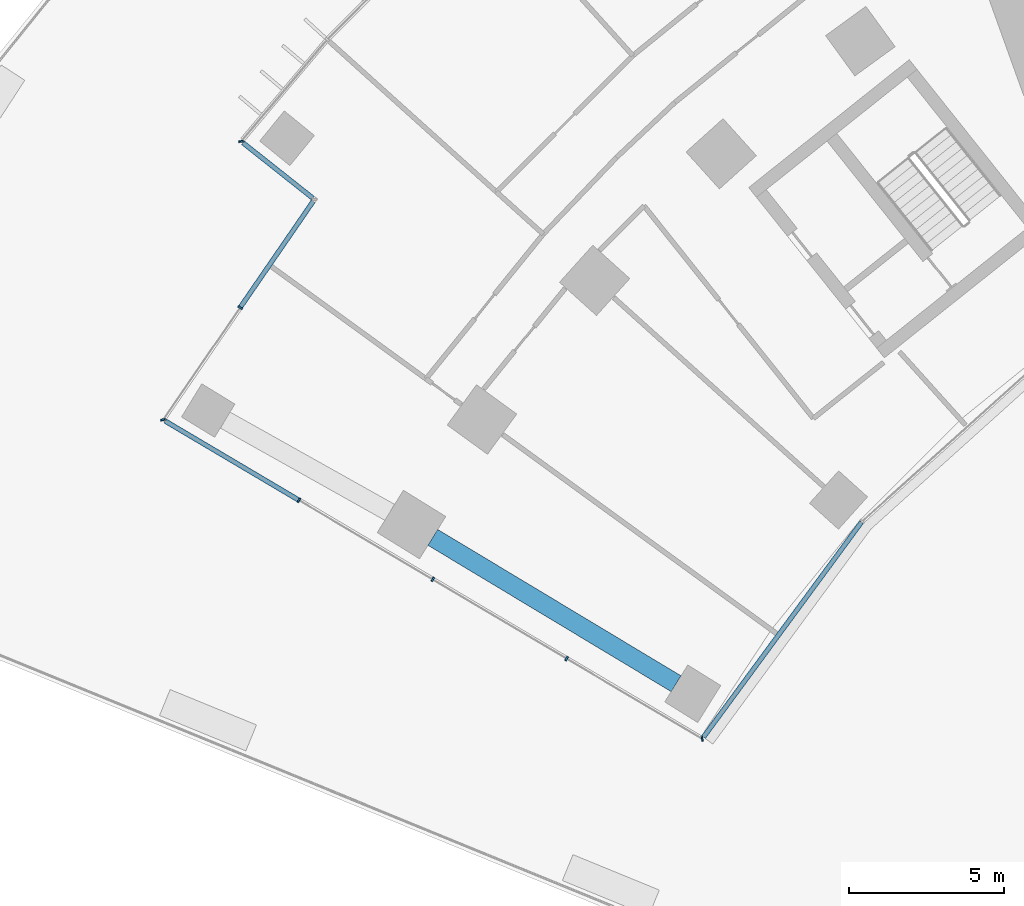
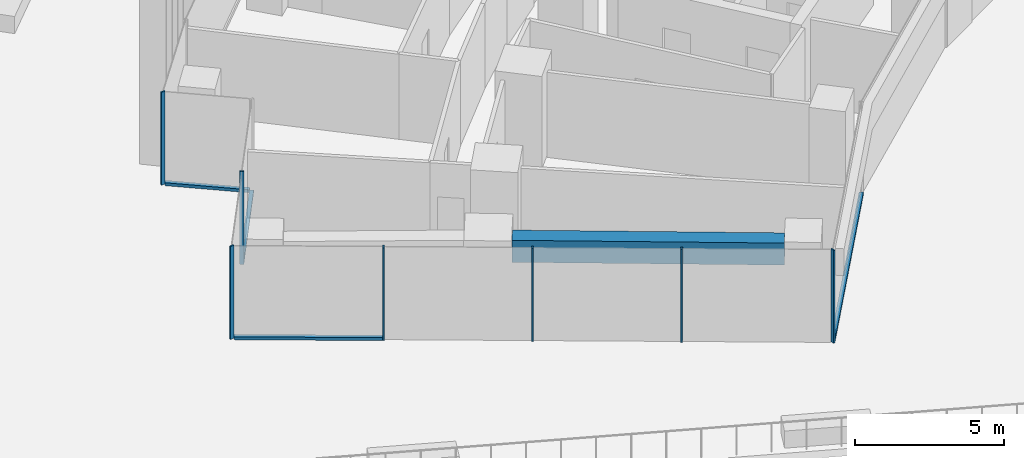
# One storey, part 2 of 24: 11 members, 1 beam, 4 elements without a shape of their own.
"""IFC4 building model written with IfcOpenShell, lengths in metres."""

from ifc_helpers import new_model, si_unit, direction, frame, origin, origin_2d, place, context, subcontext, project, spatial, rectangle, extrude, material, layer, layer_set, material_profile, profile_set, type_object, element, aggregate, save


model = new_model("IFC4")

# Units and contexts
model_context = context("Model", 3, precision=1e-05, world=origin(), true_north=direction((0.0, 1.0)))
body_context = subcontext(model_context, "Body", "Model", "MODEL_VIEW")
ifc_project = project(units=[si_unit("LENGTHUNIT", "METRE"), si_unit("AREAUNIT", "SQUARE_METRE"), si_unit("VOLUMEUNIT", "CUBIC_METRE"), si_unit("PLANEANGLEUNIT", "RADIAN"), si_unit("MASSUNIT", "GRAM", prefix="KILO")], contexts=[model_context])

# Site, building, storey
site_placement = place(None, origin())
site = spatial("IfcSite", under=ifc_project, at=site_placement, CompositionType="ELEMENT")
building_placement = place(site_placement, origin())
building = spatial("IfcBuilding", under=site, at=building_placement, Name="Stone Belt Terrace Tower", CompositionType="ELEMENT")
storey_placement = place(building_placement, frame((0.0, 0.0, 30.0)))
storey = spatial("IfcBuildingStorey", under=building, at=storey_placement, Name="L06", CompositionType="ELEMENT", Elevation=30.0)

# Curtain wall, members
ifc_material_1 = material(Name="Aluminium 6063-T6 anodised frame", Category="aluminium")
ifc_layer_1 = layer(ifc_material_1, 0.14990234375)
ifc_layer_set_1 = layer_set([ifc_layer_1], Name="CW-B unitised concave-face curtain wall")
curtain_wall_type_1 = type_object("IfcCurtainWallType", Name="CW-B unitised concave-face curtain wall", PredefinedType="NOTDEFINED", material=ifc_layer_set_1)
curtain_wall_1_placement = place(storey_placement, origin())
curtain_wall_1 = element("IfcCurtainWall", 1, at=curtain_wall_1_placement, inside=storey, type_object=curtain_wall_type_1, Name="CW-B concave face L06", PredefinedType="NOTDEFINED")
ifc_material_profile_1 = material_profile(ifc_material_1, rectangle(XDim=0.14990234375, YDim=0.050048828125, at=origin_2d()), Name="Aluminium 6063-T6 50x150")
ifc_profile_set_1 = profile_set([ifc_material_profile_1], Name="Aluminium 6063-T6 anodised frame")
member_type_1 = type_object("IfcMemberType", Name="CW-B mullion 50 x 150", PredefinedType="MULLION", material=ifc_profile_set_1)
member_1_placement = place(storey_placement, frame((-37.4140625, 22.0576171875, 0.0), z_axis=(0.0, 0.0, 1.0), x_axis=(-0.199957039009, 0.979804665508, 0.0)))
member_1 = element("IfcMember", 2, at=member_1_placement, type_object=member_type_1, Name="CW-B mullion 1", PredefinedType="MULLION", context=body_context, shape_type="SweptSolid", body=[
    extrude(rectangle(XDim=0.14990234375, YDim=0.050048828125, at=origin_2d()), origin(), (0.0, 0.0, 1.0), 3.800048828125),
])
ifc_material_profile_2 = material_profile(ifc_material_1, rectangle(XDim=0.14990234375, YDim=0.1201171875, at=origin_2d()), Name="Aluminium 6063-T6 150x120")
ifc_profile_set_2 = profile_set([ifc_material_profile_2], Name="Aluminium 6063-T6 anodised frame")
member_type_2 = type_object("IfcMemberType", Name="CW-B transom 120 x 150", PredefinedType="USERDEFINED", material=ifc_profile_set_2)
member_2_placement = place(storey_placement, frame((-37.373291015625, 22.11328125, 0.06005859375), z_axis=(0.592180847905, 0.805805090189, 0.0), x_axis=(-0.805805090189, 0.592180847905, 0.0)))
member_2 = element("IfcMember", 3, at=member_2_placement, type_object=member_type_2, Name="CW-B transom 1.1", ObjectType="TRANSOM", PredefinedType="USERDEFINED", context=body_context, shape_type="SweptSolid", body=[
    extrude(rectangle(XDim=0.14990234375, YDim=0.1201171875, at=origin_2d()), origin(), (0.0, 0.0, 1.0), 8.583984375),
])
aggregate(curtain_wall_1, [member_1, member_2])

# Curtain wall, member
ifc_layer_2 = layer(ifc_material_1, 0.14990234375)
ifc_layer_set_2 = layer_set([ifc_layer_2], Name="CW-C stick curtain wall, horn ends and notches")
curtain_wall_type_2 = type_object("IfcCurtainWallType", Name="CW-C stick curtain wall, horn ends and notches", PredefinedType="NOTDEFINED", material=ifc_layer_set_2)
curtain_wall_2_placement = place(storey_placement, origin())
curtain_wall_2 = element("IfcCurtainWall", 4, at=curtain_wall_2_placement, inside=storey, type_object=curtain_wall_type_2, Name="CW-C notch face L06", PredefinedType="NOTDEFINED")
ifc_material_profile_3 = material_profile(ifc_material_1, rectangle(XDim=0.14990234375, YDim=0.06005859375, at=origin_2d()), Name="Aluminium 6063-T6 60x150")
ifc_profile_set_3 = profile_set([ifc_material_profile_3], Name="Aluminium 6063-T6 anodised frame")
member_type_3 = type_object("IfcMemberType", Name="CW-C mullion 60 x 150", PredefinedType="MULLION", material=ifc_profile_set_3)
member_3_placement = place(storey_placement, frame((-52.24072265625, 41.27294921875, 0.0), z_axis=(0.0, 0.0, 1.0), x_axis=(0.995023084308, 0.099644677203, 0.0)))
member_3 = element("IfcMember", 5, at=member_3_placement, type_object=member_type_3, Name="CW-C mullion 1", PredefinedType="MULLION", context=body_context, shape_type="SweptSolid", body=[
    extrude(rectangle(XDim=0.14990234375, YDim=0.06005859375, at=origin_2d()), origin(), (0.0, 0.0, 1.0), 3.800048828125),
])

curtain_wall_3_placement = place(storey_placement, origin())
curtain_wall_3 = element("IfcCurtainWall", 6, at=curtain_wall_3_placement, inside=storey, type_object=curtain_wall_type_2, Name="CW-C notch face L06", PredefinedType="NOTDEFINED")
member_4_placement = place(storey_placement, frame((-52.275390625, 35.925048828125, 0.0), z_axis=(0.0, 0.0, 1.0), x_axis=(0.824146991357, -0.566375967567, 0.0)))
member_4 = element("IfcMember", 7, at=member_4_placement, type_object=member_type_3, Name="CW-C mullion 2", PredefinedType="MULLION", context=body_context, shape_type="SweptSolid", body=[
    extrude(rectangle(XDim=0.14990234375, YDim=0.06005859375, at=origin_2d()), origin(), (0.0, 0.0, 1.0), 3.800048828125),
])

# Curtain wall, members
curtain_wall_4_placement = place(storey_placement, origin())
curtain_wall_4 = element("IfcCurtainWall", 8, at=curtain_wall_4_placement, inside=storey, type_object=curtain_wall_type_2, Name="CW-C end face L06", PredefinedType="NOTDEFINED")
member_5_placement = place(storey_placement, frame((-54.752685546875, 32.3203125, 0.0), z_axis=(0.0, 0.0, 1.0), x_axis=(0.976519557331, 0.215428768157, 0.0)))
member_5 = element("IfcMember", 9, at=member_5_placement, type_object=member_type_3, Name="CW-C mullion 1", PredefinedType="MULLION", context=body_context, shape_type="SweptSolid", body=[
    extrude(rectangle(XDim=0.14990234375, YDim=0.06005859375, at=origin_2d()), origin(), (0.0, 0.0, 1.0), 3.800048828125),
])
member_6_placement = place(storey_placement, frame((-50.380859375, 29.732666015625, 0.0), z_axis=(0.0, 0.0, 1.0), x_axis=(0.509352918793, 0.860557728521, 0.0)))
member_6 = element("IfcMember", 10, at=member_6_placement, type_object=member_type_3, Name="CW-C mullion 2", PredefinedType="MULLION", context=body_context, shape_type="SweptSolid", body=[
    extrude(rectangle(XDim=0.14990234375, YDim=0.06005859375, at=origin_2d()), origin(), (0.0, 0.0, 1.0), 3.800048828125),
])
member_7_placement = place(storey_placement, frame((-46.078125, 27.185791015625, 0.0), z_axis=(0.0, 0.0, 1.0), x_axis=(0.509352918793, 0.860557728521, 0.0)))
member_7 = element("IfcMember", 11, at=member_7_placement, type_object=member_type_3, Name="CW-C mullion 3", PredefinedType="MULLION", context=body_context, shape_type="SweptSolid", body=[
    extrude(rectangle(XDim=0.14990234375, YDim=0.06005859375, at=origin_2d()), origin(), (0.0, 0.0, 1.0), 3.800048828125),
])
member_8_placement = place(storey_placement, frame((-41.775146484375, 24.63916015625, 0.0), z_axis=(0.0, 0.0, 1.0), x_axis=(0.509352918793, 0.860557728521, 0.0)))
member_8 = element("IfcMember", 12, at=member_8_placement, type_object=member_type_3, Name="CW-C mullion 4", PredefinedType="MULLION", context=body_context, shape_type="SweptSolid", body=[
    extrude(rectangle(XDim=0.14990234375, YDim=0.06005859375, at=origin_2d()), origin(), (0.0, 0.0, 1.0), 3.800048828125),
])

# Member
ifc_material_profile_4 = material_profile(ifc_material_1, rectangle(XDim=0.14990234375, YDim=0.1201171875, at=origin_2d()), Name="Aluminium 6063-T6 150x120")
ifc_profile_set_4 = profile_set([ifc_material_profile_4], Name="Aluminium 6063-T6 anodised frame")
member_type_4 = type_object("IfcMemberType", Name="CW-C transom 120 x 150", PredefinedType="USERDEFINED", material=ifc_profile_set_4)
member_9_placement = place(storey_placement, frame((-52.18212890625, 41.2265625, 0.06005859375), z_axis=(0.783966177893, -0.620803537297, 0.0), x_axis=(0.620803537297, 0.783966177893, 0.0)))
member_9 = element("IfcMember", 13, at=member_9_placement, type_object=member_type_4, Name="CW-C transom 1.1", ObjectType="TRANSOM", PredefinedType="USERDEFINED", context=body_context, shape_type="SweptSolid", body=[
    extrude(rectangle(XDim=0.14990234375, YDim=0.1201171875, at=origin_2d()), origin(), (0.0, 0.0, 1.0), 2.859375),
])

aggregate(curtain_wall_2, [member_3, member_9])

member_10_placement = place(storey_placement, frame((-49.924560546875, 39.345703125, 0.06005859375), z_axis=(-0.566362850847, -0.824156005365, 0.0), x_axis=(0.824156005365, -0.566362850847, 0.0)))
member_10 = element("IfcMember", 14, at=member_10_placement, type_object=member_type_4, Name="CW-C transom 1.1", ObjectType="TRANSOM", PredefinedType="USERDEFINED", context=body_context, shape_type="SweptSolid", body=[
    extrude(rectangle(XDim=0.14990234375, YDim=0.1201171875, at=origin_2d()), origin(), (0.0, 0.0, 1.0), 4.12060546875),
])

aggregate(curtain_wall_3, [member_4, member_10])

member_11_placement = place(storey_placement, frame((-54.68798828125, 32.281982421875, 0.06005859375), z_axis=(0.860543319846, -0.509377261633, 0.0), x_axis=(0.509377261633, 0.860543319846, 0.0)))
member_11 = element("IfcMember", 15, at=member_11_placement, type_object=member_type_4, Name="CW-C transom 1.1", ObjectType="TRANSOM", PredefinedType="USERDEFINED", context=body_context, shape_type="SweptSolid", body=[
    extrude(rectangle(XDim=0.14990234375, YDim=0.1201171875, at=origin_2d()), origin(), (0.0, 0.0, 1.0), 4.97509765625),
])

aggregate(curtain_wall_4, [member_5, member_6, member_7, member_8, member_11])

# Beam
ifc_material_2 = material(Name="Concrete B60", Category="concrete")
ifc_material_profile_5 = material_profile(ifc_material_2, rectangle(XDim=0.60009765625, YDim=0.89990234375, at=origin_2d()), Name="RC 600x900")
ifc_profile_set_5 = profile_set([ifc_material_profile_5], Name="Concrete B60")
beam_type = type_object("IfcBeamType", Name="Edge beam RC 600x900 B60", PredefinedType="SPANDREL", material=ifc_profile_set_5)
beam_placement = place(storey_placement, frame((-38.253662109375, 23.83203125, 3.030029296875), z_axis=(-0.856900189152, 0.51548236229, 0.0), x_axis=(-0.51548236229, -0.856900189152, 0.0)))
element("IfcBeam", 16, at=beam_placement, inside=storey, type_object=beam_type, Name="Edge beam L06 A P to Q", PredefinedType="SPANDREL", context=body_context, shape_type="SweptSolid", body=[
    extrude(rectangle(XDim=0.60009765625, YDim=0.89990234375, at=origin_2d()), origin(), (0.0, 0.0, 1.0), 9.130859375),
])

save(model, "model.ifc")
